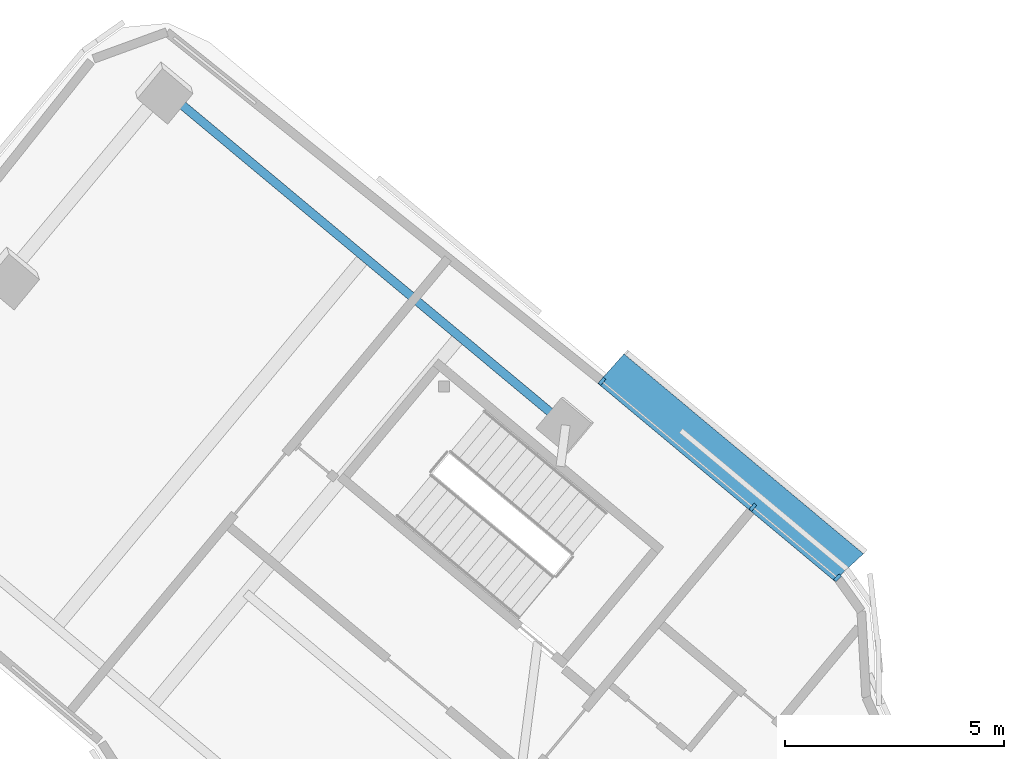
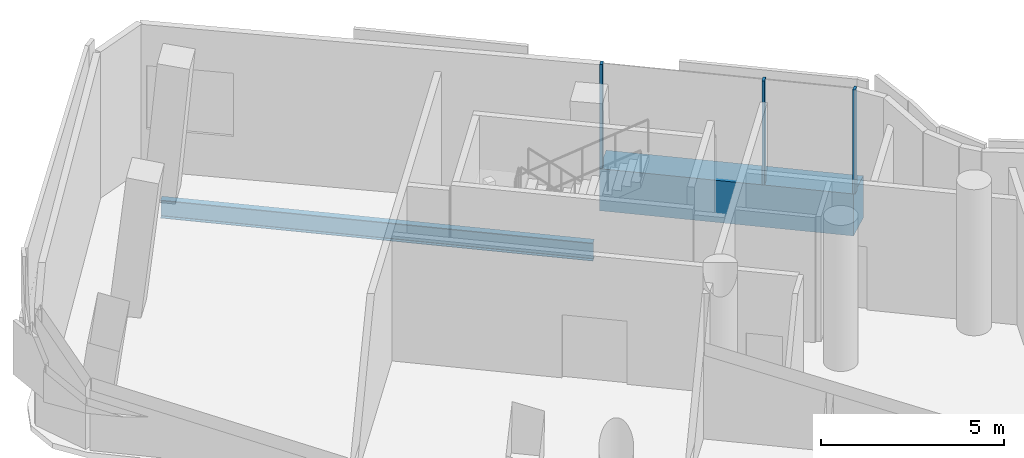
# One storey, part 5 of 19: 4 members, 1 beam, 1 element without a shape of its own.
"""IFC4 building model written with IfcOpenShell, lengths in metres."""

from ifc_helpers import new_model, si_unit, direction, frame, origin, origin_2d, place, context, subcontext, project, spatial, polyline, rectangle, i_section, outline, extrude, material, layer, layer_set, material_profile, profile_set, type_object, element, aggregate, save


model = new_model("IFC4")

# Units and contexts
model_context = context("Model", 3, precision=1e-05, world=origin(), true_north=direction((0.0, 1.0)))
body_context = subcontext(model_context, "Body", "Model", "MODEL_VIEW")
ifc_project = project(units=[si_unit("LENGTHUNIT", "METRE"), si_unit("AREAUNIT", "SQUARE_METRE"), si_unit("VOLUMEUNIT", "CUBIC_METRE"), si_unit("PLANEANGLEUNIT", "RADIAN"), si_unit("MASSUNIT", "GRAM", prefix="KILO")], contexts=[model_context])

# Site, building, storey
site_placement = place(None, origin())
site = spatial("IfcSite", under=ifc_project, at=site_placement, CompositionType="ELEMENT")
building_placement = place(site_placement, origin())
building = spatial("IfcBuilding", under=site, at=building_placement, Name="Tamarind Cross Interchange Tower", CompositionType="ELEMENT")
storey_placement = place(building_placement, frame((0.0, 0.0, 214.89990234375)))
storey = spatial("IfcBuildingStorey", under=building, at=storey_placement, Name="L54", CompositionType="ELEMENT", Elevation=214.89990234375)

# Beam
ifc_material_1 = material(Name="Steel Q355B", Category="steel")
ifc_material_profile_1 = material_profile(ifc_material_1, i_section(OverallWidth=0.199951171875, OverallDepth=0.60009765625, WebThickness=0.010986328125, FlangeThickness=0.01708984375, FilletRadius=0.012939453125, at=origin_2d()), Name="HN 600x200x11x17")
ifc_profile_set_1 = profile_set([ifc_material_profile_1], Name="Steel Q355B")
beam_type = type_object("IfcBeamType", Name="Composite beam HN 600x200x11x17 Q355B", PredefinedType="BEAM", material=ifc_profile_set_1)
beam_placement = place(storey_placement, frame((-12.033935546875, 39.2080078125, -0.47998046875), z_axis=(0.76772934464, -0.640774260859, 0.0), x_axis=(0.640774260859, 0.76772934464, 0.0)))
element("IfcBeam", 1, at=beam_placement, inside=storey, type_object=beam_type, Name="Beam N-edgeem4", PredefinedType="BEAM", context=body_context, shape_type="SweptSolid", body=[
    extrude(i_section(OverallWidth=0.199951171875, OverallDepth=0.60009765625, WebThickness=0.010986328125, FlangeThickness=0.01708984375, FilletRadius=0.012939453125, at=origin_2d()), origin(), (0.0, 0.0, 1.0), 11.965087890625),
])

# Curtain wall, members
ifc_material_2 = material(Name="Aluminium 6063-T6", Category="aluminium")
ifc_layer = layer(ifc_material_2, 0.179931640625)
ifc_layer_set = layer_set([ifc_layer], Name="Aluminium 6063-T6")
curtain_wall_type = type_object("IfcCurtainWallType", Name="Sky lobby curtain wall, fire-resisting glazing", PredefinedType="NOTDEFINED", material=ifc_layer_set)
curtain_wall_placement = place(storey_placement, origin())
curtain_wall = element("IfcCurtainWall", 2, at=curtain_wall_placement, inside=storey, type_object=curtain_wall_type, Name="CWS-L54-07", PredefinedType="NOTDEFINED")
ifc_material_3 = material(Name="Aluminium and insulated spandrel panel", Category="aluminium")
member_type_1 = type_object("IfcMemberType", Name="Floor-edge blade transom", PredefinedType="USERDEFINED", material=ifc_material_3)
member_1_placement = place(storey_placement, origin())
member_1 = element("IfcMember", 3, at=member_1_placement, type_object=member_type_1, Name="CWT-L54-07-0", ObjectType="TRANSOM", PredefinedType="USERDEFINED", context=body_context, shape_type="SweptSolid", body=[
    extrude(outline(polyline([(3.28271484375, 27.987060546875), (-2.11669921875, 32.493896484375), (-1.5185546875, 33.166748046875), (3.9482421875, 28.60400390625), (3.28271484375, 27.987060546875)])), origin(), (0.0, 0.0, 1.0), 1.400146484375),
])
ifc_material_profile_2 = material_profile(ifc_material_2, rectangle(XDim=0.080078125, YDim=0.179931640625, at=origin_2d()), Name="Mullion CW4")
ifc_profile_set_2 = profile_set([ifc_material_profile_2], Name="Aluminium 6063-T6")
member_type_2 = type_object("IfcMemberType", Name="Mullion CW4", PredefinedType="MULLION", material=ifc_profile_set_2)
member_2_placement = place(storey_placement, frame((3.356689453125, 28.0556640625, 1.400146484375), z_axis=(0.0, 0.0, 1.0), x_axis=(-0.679732014547, 0.733460556813, 0.0)))
member_2 = element("IfcMember", 4, at=member_2_placement, type_object=member_type_2, Name="CWM-L54-07-00", PredefinedType="MULLION", context=body_context, shape_type="SweptSolid", body=[
    extrude(rectangle(XDim=0.080078125, YDim=0.179931640625, at=origin_2d()), origin(), (0.0, 0.0, 1.0), 3.4599609375),
])
member_3_placement = place(storey_placement, frame((1.425537109375, 29.66748046875, 1.400146484375), z_axis=(0.0, 0.0, 1.0), x_axis=(-0.767729103501, 0.640774549773, 0.0)))
member_3 = element("IfcMember", 5, at=member_3_placement, type_object=member_type_2, Name="CWM-L54-07-01", PredefinedType="MULLION", context=body_context, shape_type="SweptSolid", body=[
    extrude(rectangle(XDim=0.080078125, YDim=0.179931640625, at=origin_2d()), origin(), (0.0, 0.0, 1.0), 3.4599609375),
])
member_4_placement = place(storey_placement, frame((-2.019775390625, 32.54296875, 1.400146484375), z_axis=(0.0, 0.0, 1.0), x_axis=(-0.767729103501, 0.640774549773, 0.0)))
member_4 = element("IfcMember", 6, at=member_4_placement, type_object=member_type_2, Name="CWM-L54-07-02", PredefinedType="MULLION", context=body_context, shape_type="SweptSolid", body=[
    extrude(rectangle(XDim=0.080078125, YDim=0.179931640625, at=origin_2d()), origin(), (0.0, 0.0, 1.0), 3.4599609375),
])
aggregate(curtain_wall, [member_2, member_3, member_4, member_1])

save(model, "model.ifc")
